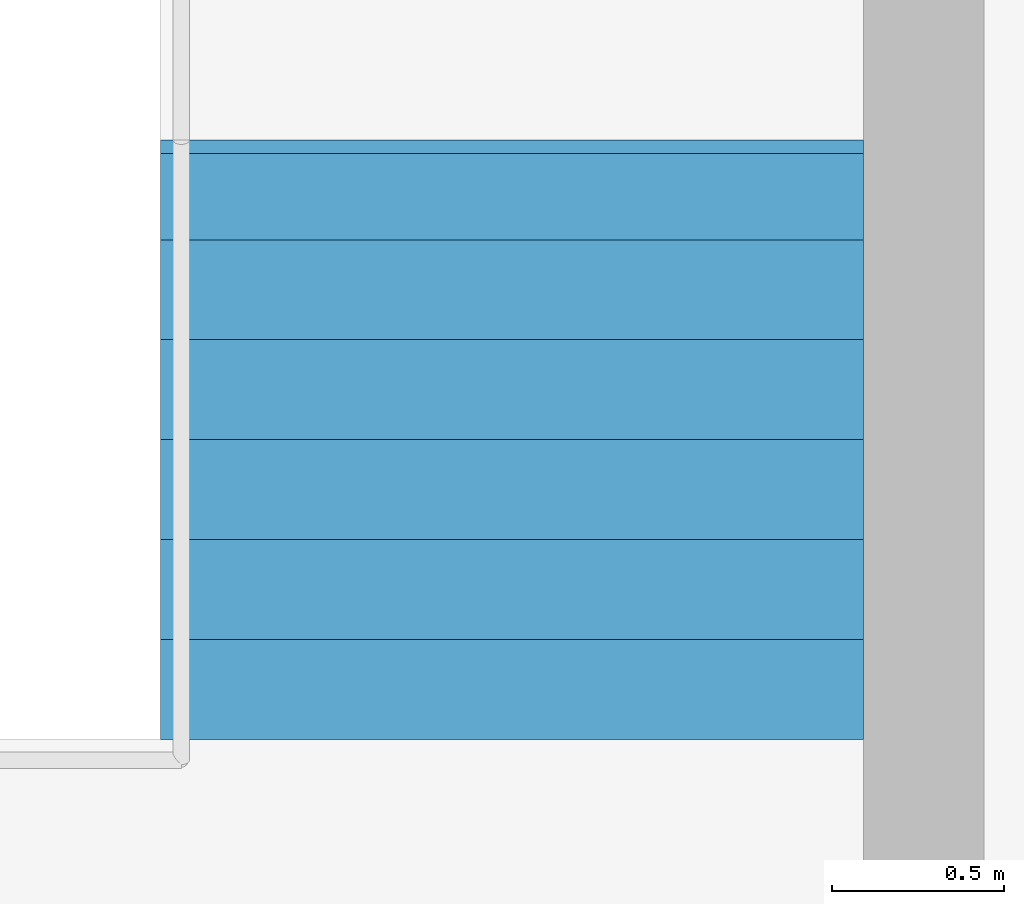
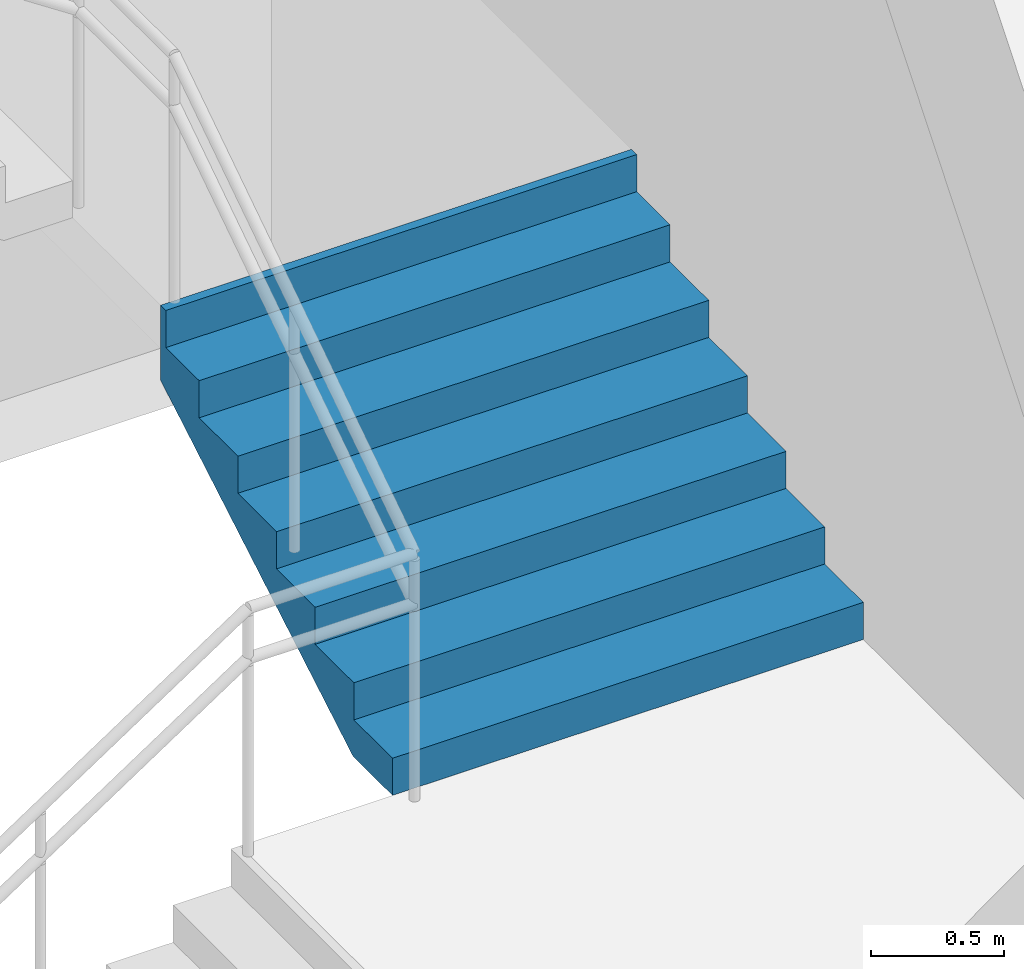
# One storey, part 53 of 58: 1 stair flight, 1 element without a shape of its own.
"""IFC4 building model written with IfcOpenShell, lengths in metres."""

from ifc_helpers import new_model, si_unit, direction, frame, origin, place, context, subcontext, project, spatial, triangles, material, type_object, element, aggregate, save


model = new_model("IFC4")

# Units and contexts
model_context = context("Model", 3, precision=1e-05, world=origin(), true_north=direction((0.0, 1.0)))
body_context = subcontext(model_context, "Body", "Model", "MODEL_VIEW")
ifc_project = project(units=[si_unit("LENGTHUNIT", "METRE"), si_unit("AREAUNIT", "SQUARE_METRE"), si_unit("VOLUMEUNIT", "CUBIC_METRE"), si_unit("PLANEANGLEUNIT", "RADIAN"), si_unit("MASSUNIT", "GRAM", prefix="KILO")], contexts=[model_context])

# Site, building, storey
site_placement = place(None, origin())
site = spatial("IfcSite", under=ifc_project, at=site_placement, CompositionType="ELEMENT")
building_placement = place(site_placement, origin())
building = spatial("IfcBuilding", under=site, at=building_placement, Name="Sillaruma Civic Art Gallery", CompositionType="ELEMENT")
storey_placement = place(building_placement, frame((0.0, 0.0, 28.56005859375)))
storey = spatial("IfcBuildingStorey", under=building, at=storey_placement, Name="L05", CompositionType="ELEMENT", Elevation=28.56005859375)

# Stair, stair flight
ifc_material = material(Name="Concrete H35 (35 MPa)", Category="concrete")
stair_type = type_object("IfcStairType", Name="STR-4F-27", PredefinedType="USERDEFINED", material=ifc_material)
stair_placement = place(storey_placement, origin())
stair = element("IfcStair", 1, at=stair_placement, inside=storey, type_object=stair_type, Name="Protected Exit Stair ST-02 (West Bar North) (L05)", ObjectType="THREE_RETURN_STAIR", PredefinedType="USERDEFINED")
stair_flight_type = type_object("IfcStairFlightType", Name="SFL-STR-7", PredefinedType="STRAIGHT", material=ifc_material)
stair_flight_placement = place(storey_placement, frame((68.219970703125, 82.949951171875, 1.18994140625), z_axis=(0.0, 0.0, 1.0), x_axis=(0.0, 1.0, 0.0)))
stair_flight = element("IfcStairFlight", 2, at=stair_flight_placement, type_object=stair_flight_type, Name="ST-02 flight 2", NumberOfRisers=7, NumberOfTreads=6, PredefinedType="STRAIGHT", RiserHeight=0.17, TreadLength=0.29, context=body_context, shape_type="Tessellation", body=[
    triangles([(0.0, -1.02001953125, 0.0), (0.29, -1.02001953125, 0.0), (0.296404, -1.02001953125, 0.0), (0.58, -1.02001953125, 0.166246), (0.87, -1.02001953125, 0.336246), (1.16, -1.02001953125, 0.506246), (1.45, -1.02001953125, 0.676246), (1.69999, -1.02001953125, 0.822792), (1.73999, -1.02001953125, 0.84624), (1.73999, -1.02001953125, 1.19), (1.69999, -1.02001953125, 1.19), (1.69999, -1.02001953125, 1.02), (1.45, -1.02001953125, 1.02), (1.45, -1.02001953125, 0.85), (1.16, -1.02001953125, 0.85), (1.16, -1.02001953125, 0.68), (0.87, -1.02001953125, 0.68), (0.87, -1.02001953125, 0.51), (0.58, -1.02001953125, 0.51), (0.58, -1.02001953125, 0.34), (0.296404, -1.02001953125, 0.34), (0.29, -1.02001953125, 0.34), (0.29, -1.02001953125, 0.17), (0.0, -1.02001953125, 0.17), (0.0, -0.05, 0.0), (0.29, -0.05, 0.0), (0.296404, -0.05, 0.0), (0.58, -0.05, 0.166246), (0.87, -0.05, 0.336246), (1.16, -0.05, 0.506246), (1.45, -0.05, 0.676246), (1.69999, -0.05, 0.822792), (1.73999, -0.05, 0.84624), (1.73999, -0.05, 1.19), (1.69999, -0.05, 1.19), (1.69999, -0.05, 1.02), (1.45, -0.05, 1.02), (1.45, -0.05, 0.85), (1.16, -0.05, 0.85), (1.16, -0.05, 0.68), (0.87, -0.05, 0.68), (0.87, -0.05, 0.51), (0.58, -0.05, 0.51), (0.58, -0.05, 0.34), (0.296404, -0.05, 0.34), (0.29, -0.05, 0.34), (0.29, -0.05, 0.17), (0.0, -0.05, 0.17), (0.0, -0.0375, 0.0), (0.29, -0.0375, 0.0), (0.296404, -0.0375, 0.0), (0.58, -0.0375, 0.166246), (0.87, -0.0375, 0.336246), (1.16, -0.0375, 0.506246), (1.45, -0.0375, 0.676246), (1.69999, -0.0375, 0.822792), (1.73999, -0.0375, 0.84624), (1.73999, -0.0375, 1.19), (1.69999, -0.0375, 1.19), (1.69999, -0.0375, 1.02), (1.45, -0.0375, 1.02), (1.45, -0.0375, 0.85), (1.16, -0.0375, 0.85), (1.16, -0.0375, 0.68), (0.87, -0.0375, 0.68), (0.87, -0.0375, 0.51), (0.58, -0.0375, 0.51), (0.58, -0.0375, 0.34), (0.296404, -0.0375, 0.34), (0.29, -0.0375, 0.34), (0.29, -0.0375, 0.17), (0.0, -0.0375, 0.17), (0.0, -0.025, 0.0), (0.29, -0.025, 0.0), (0.296404, -0.025, 0.0), (0.58, -0.025, 0.166246), (0.87, -0.025, 0.336246), (1.16, -0.025, 0.506246), (1.45, -0.025, 0.676246), (1.69999, -0.025, 0.822792), (1.73999, -0.025, 0.84624), (1.73999, -0.025, 1.19), (1.69999, -0.025, 1.19), (1.69999, -0.025, 1.02), (1.45, -0.025, 1.02), (1.45, -0.025, 0.85), (1.16, -0.025, 0.85), (1.16, -0.025, 0.68), (0.87, -0.025, 0.68), (0.87, -0.025, 0.51), (0.58, -0.025, 0.51), (0.58, -0.025, 0.34), (0.296404, -0.025, 0.34), (0.29, -0.025, 0.34), (0.29, -0.025, 0.17), (0.0, -0.025, 0.17), (0.0, -0.0125, 0.0), (0.29, -0.0125, 0.0), (0.296404, -0.0125, 0.0), (0.58, -0.0125, 0.166246), (0.87, -0.0125, 0.336246), (1.16, -0.0125, 0.506246), (1.45, -0.0125, 0.676246), (1.69999, -0.0125, 0.822792), (1.73999, -0.0125, 0.84624), (1.73999, -0.0125, 1.19), (1.69999, -0.0125, 1.19), (1.69999, -0.0125, 1.02), (1.45, -0.0125, 1.02), (1.45, -0.0125, 0.85), (1.16, -0.0125, 0.85), (1.16, -0.0125, 0.68), (0.87, -0.0125, 0.68), (0.87, -0.0125, 0.51), (0.58, -0.0125, 0.51), (0.58, -0.0125, 0.34), (0.296404, -0.0125, 0.34), (0.29, -0.0125, 0.34), (0.29, -0.0125, 0.17), (0.0, -0.0125, 0.17), (0.0, 0.0, 0.0), (0.29, 0.0, 0.0), (0.296404, 0.0, 0.0), (0.58, 0.0, 0.166246), (0.87, 0.0, 0.336246), (1.16, 0.0, 0.506246), (1.45, 0.0, 0.676246), (1.69999, 0.0, 0.822792), (1.73999, 0.0, 0.84624), (1.73999, 0.0, 1.19), (1.69999, 0.0, 1.19), (1.69999, 0.0, 1.02), (1.45, 0.0, 1.02), (1.45, 0.0, 0.85), (1.16, 0.0, 0.85), (1.16, 0.0, 0.68), (0.87, 0.0, 0.68), (0.87, 0.0, 0.51), (0.58, 0.0, 0.51), (0.58, 0.0, 0.34), (0.296404, 0.0, 0.34), (0.29, 0.0, 0.34), (0.29, 0.0, 0.17), (0.0, 0.0, 0.17), (0.0, 0.0125, 0.0), (0.29, 0.0125, 0.0), (0.296404, 0.0125, 0.0), (0.58, 0.0125, 0.166246), (0.87, 0.0125, 0.336246), (1.16, 0.0125, 0.506246), (1.45, 0.0125, 0.676246), (1.69999, 0.0125, 0.822792), (1.73999, 0.0125, 0.84624), (1.73999, 0.0125, 1.19), (1.69999, 0.0125, 1.19), (1.69999, 0.0125, 1.02), (1.45, 0.0125, 1.02), (1.45, 0.0125, 0.85), (1.16, 0.0125, 0.85), (1.16, 0.0125, 0.68), (0.87, 0.0125, 0.68), (0.87, 0.0125, 0.51), (0.58, 0.0125, 0.51), (0.58, 0.0125, 0.34), (0.296404, 0.0125, 0.34), (0.29, 0.0125, 0.34), (0.29, 0.0125, 0.17), (0.0, 0.0125, 0.17), (0.0, 0.025, 0.0), (0.29, 0.025, 0.0), (0.296404, 0.025, 0.0), (0.58, 0.025, 0.166246), (0.87, 0.025, 0.336246), (1.16, 0.025, 0.506246), (1.45, 0.025, 0.676246), (1.69999, 0.025, 0.822792), (1.73999, 0.025, 0.84624), (1.73999, 0.025, 1.19), (1.69999, 0.025, 1.19), (1.69999, 0.025, 1.02), (1.45, 0.025, 1.02), (1.45, 0.025, 0.85), (1.16, 0.025, 0.85), (1.16, 0.025, 0.68), (0.87, 0.025, 0.68), (0.87, 0.025, 0.51), (0.58, 0.025, 0.51), (0.58, 0.025, 0.34), (0.296404, 0.025, 0.34), (0.29, 0.025, 0.34), (0.29, 0.025, 0.17), (0.0, 0.025, 0.17), (0.0, 0.0375, 0.0), (0.29, 0.0375, 0.0), (0.296404, 0.0375, 0.0), (0.58, 0.0375, 0.166246), (0.87, 0.0375, 0.336246), (1.16, 0.0375, 0.506246), (1.45, 0.0375, 0.676246), (1.69999, 0.0375, 0.822792), (1.73999, 0.0375, 0.84624), (1.73999, 0.0375, 1.19), (1.69999, 0.0375, 1.19), (1.69999, 0.0375, 1.02), (1.45, 0.0375, 1.02), (1.45, 0.0375, 0.85), (1.16, 0.0375, 0.85), (1.16, 0.0375, 0.68), (0.87, 0.0375, 0.68), (0.87, 0.0375, 0.51), (0.58, 0.0375, 0.51), (0.58, 0.0375, 0.34), (0.296404, 0.0375, 0.34), (0.29, 0.0375, 0.34), (0.29, 0.0375, 0.17), (0.0, 0.0375, 0.17), (0.0, 0.05, 0.0), (0.29, 0.05, 0.0), (0.296404, 0.05, 0.0), (0.58, 0.05, 0.166246), (0.87, 0.05, 0.336246), (1.16, 0.05, 0.506246), (1.45, 0.05, 0.676246), (1.69999, 0.05, 0.822792), (1.73999, 0.05, 0.84624), (1.73999, 0.05, 1.19), (1.69999, 0.05, 1.19), (1.69999, 0.05, 1.02), (1.45, 0.05, 1.02), (1.45, 0.05, 0.85), (1.16, 0.05, 0.85), (1.16, 0.05, 0.68), (0.87, 0.05, 0.68), (0.87, 0.05, 0.51), (0.58, 0.05, 0.51), (0.58, 0.05, 0.34), (0.296404, 0.05, 0.34), (0.29, 0.05, 0.34), (0.29, 0.05, 0.17), (0.0, 0.05, 0.17), (0.0, 1.02001953125, 0.0), (0.29, 1.02001953125, 0.0), (0.296404, 1.02001953125, 0.0), (0.58, 1.02001953125, 0.166246), (0.87, 1.02001953125, 0.336246), (1.16, 1.02001953125, 0.506246), (1.45, 1.02001953125, 0.676246), (1.69999, 1.02001953125, 0.822792), (1.73999, 1.02001953125, 0.84624), (1.73999, 1.02001953125, 1.19), (1.69999, 1.02001953125, 1.19), (1.69999, 1.02001953125, 1.02), (1.45, 1.02001953125, 1.02), (1.45, 1.02001953125, 0.85), (1.16, 1.02001953125, 0.85), (1.16, 1.02001953125, 0.68), (0.87, 1.02001953125, 0.68), (0.87, 1.02001953125, 0.51), (0.58, 1.02001953125, 0.51), (0.58, 1.02001953125, 0.34), (0.296404, 1.02001953125, 0.34), (0.29, 1.02001953125, 0.34), (0.29, 1.02001953125, 0.17), (0.0, 1.02001953125, 0.17)], [[1, 2, 23], [1, 23, 24], [2, 3, 21], [2, 21, 23], [23, 21, 22], [3, 4, 20], [3, 20, 21], [4, 5, 18], [4, 18, 20], [20, 18, 19], [5, 6, 16], [5, 16, 18], [18, 16, 17], [6, 7, 14], [6, 14, 16], [16, 14, 15], [7, 8, 12], [7, 12, 14], [14, 12, 13], [8, 9, 10], [8, 10, 12], [12, 10, 11], [263, 242, 241], [264, 263, 241], [261, 243, 242], [263, 261, 242], [262, 261, 263], [260, 244, 243], [261, 260, 243], [258, 245, 244], [260, 258, 244], [259, 258, 260], [256, 246, 245], [258, 256, 245], [257, 256, 258], [254, 247, 246], [256, 254, 246], [255, 254, 256], [252, 248, 247], [254, 252, 247], [253, 252, 254], [250, 249, 248], [252, 250, 248], [251, 250, 252], [2, 1, 25], [2, 25, 26], [3, 2, 26], [3, 26, 27], [4, 3, 27], [4, 27, 28], [5, 4, 28], [5, 28, 29], [6, 5, 29], [6, 29, 30], [7, 6, 30], [7, 30, 31], [8, 7, 31], [8, 31, 32], [9, 8, 32], [9, 32, 33], [10, 9, 33], [10, 33, 34], [11, 10, 34], [11, 34, 35], [12, 11, 35], [12, 35, 36], [13, 12, 36], [13, 36, 37], [14, 13, 37], [14, 37, 38], [15, 14, 38], [15, 38, 39], [16, 15, 39], [16, 39, 40], [17, 16, 40], [17, 40, 41], [18, 17, 41], [18, 41, 42], [19, 18, 42], [19, 42, 43], [20, 19, 43], [20, 43, 44], [21, 20, 44], [21, 44, 45], [22, 21, 45], [22, 45, 46], [23, 22, 46], [23, 46, 47], [24, 23, 47], [24, 47, 48], [1, 24, 48], [1, 48, 25], [26, 25, 49], [26, 49, 50], [27, 26, 50], [27, 50, 51], [28, 27, 51], [28, 51, 52], [29, 28, 52], [29, 52, 53], [30, 29, 53], [30, 53, 54], [31, 30, 54], [31, 54, 55], [32, 31, 55], [32, 55, 56], [33, 32, 56], [33, 56, 57], [34, 33, 57], [34, 57, 58], [35, 34, 58], [35, 58, 59], [36, 35, 59], [36, 59, 60], [37, 36, 60], [37, 60, 61], [38, 37, 61], [38, 61, 62], [39, 38, 62], [39, 62, 63], [40, 39, 63], [40, 63, 64], [41, 40, 64], [41, 64, 65], [42, 41, 65], [42, 65, 66], [43, 42, 66], [43, 66, 67], [44, 43, 67], [44, 67, 68], [45, 44, 68], [45, 68, 69], [46, 45, 69], [46, 69, 70], [47, 46, 70], [47, 70, 71], [48, 47, 71], [48, 71, 72], [25, 48, 72], [25, 72, 49], [50, 49, 73], [50, 73, 74], [51, 50, 74], [51, 74, 75], [52, 51, 75], [52, 75, 76], [53, 52, 76], [53, 76, 77], [54, 53, 77], [54, 77, 78], [55, 54, 78], [55, 78, 79], [56, 55, 79], [56, 79, 80], [57, 56, 80], [57, 80, 81], [58, 57, 81], [58, 81, 82], [59, 58, 82], [59, 82, 83], [60, 59, 83], [60, 83, 84], [61, 60, 84], [61, 84, 85], [62, 61, 85], [62, 85, 86], [63, 62, 86], [63, 86, 87], [64, 63, 87], [64, 87, 88], [65, 64, 88], [65, 88, 89], [66, 65, 89], [66, 89, 90], [67, 66, 90], [67, 90, 91], [68, 67, 91], [68, 91, 92], [69, 68, 92], [69, 92, 93], [70, 69, 93], [70, 93, 94], [71, 70, 94], [71, 94, 95], [72, 71, 95], [72, 95, 96], [49, 72, 96], [49, 96, 73], [74, 73, 97], [74, 97, 98], [75, 74, 98], [75, 98, 99], [76, 75, 99], [76, 99, 100], [77, 76, 100], [77, 100, 101], [78, 77, 101], [78, 101, 102], [79, 78, 102], [79, 102, 103], [80, 79, 103], [80, 103, 104], [81, 80, 104], [81, 104, 105], [82, 81, 105], [82, 105, 106], [83, 82, 106], [83, 106, 107], [84, 83, 107], [84, 107, 108], [85, 84, 108], [85, 108, 109], [86, 85, 109], [86, 109, 110], [87, 86, 110], [87, 110, 111], [88, 87, 111], [88, 111, 112], [89, 88, 112], [89, 112, 113], [90, 89, 113], [90, 113, 114], [91, 90, 114], [91, 114, 115], [92, 91, 115], [92, 115, 116], [93, 92, 116], [93, 116, 117], [94, 93, 117], [94, 117, 118], [95, 94, 118], [95, 118, 119], [96, 95, 119], [96, 119, 120], [73, 96, 120], [73, 120, 97], [98, 97, 121], [98, 121, 122], [99, 98, 122], [99, 122, 123], [100, 99, 123], [100, 123, 124], [101, 100, 124], [101, 124, 125], [102, 101, 125], [102, 125, 126], [103, 102, 126], [103, 126, 127], [104, 103, 127], [104, 127, 128], [105, 104, 128], [105, 128, 129], [106, 105, 129], [106, 129, 130], [107, 106, 130], [107, 130, 131], [108, 107, 131], [108, 131, 132], [109, 108, 132], [109, 132, 133], [110, 109, 133], [110, 133, 134], [111, 110, 134], [111, 134, 135], [112, 111, 135], [112, 135, 136], [113, 112, 136], [113, 136, 137], [114, 113, 137], [114, 137, 138], [115, 114, 138], [115, 138, 139], [116, 115, 139], [116, 139, 140], [117, 116, 140], [117, 140, 141], [118, 117, 141], [118, 141, 142], [119, 118, 142], [119, 142, 143], [120, 119, 143], [120, 143, 144], [97, 120, 144], [97, 144, 121], [122, 121, 145], [122, 145, 146], [123, 122, 146], [123, 146, 147], [124, 123, 147], [124, 147, 148], [125, 124, 148], [125, 148, 149], [126, 125, 149], [126, 149, 150], [127, 126, 150], [127, 150, 151], [128, 127, 151], [128, 151, 152], [129, 128, 152], [129, 152, 153], [130, 129, 153], [130, 153, 154], [131, 130, 154], [131, 154, 155], [132, 131, 155], [132, 155, 156], [133, 132, 156], [133, 156, 157], [134, 133, 157], [134, 157, 158], [135, 134, 158], [135, 158, 159], [136, 135, 159], [136, 159, 160], [137, 136, 160], [137, 160, 161], [138, 137, 161], [138, 161, 162], [139, 138, 162], [139, 162, 163], [140, 139, 163], [140, 163, 164], [141, 140, 164], [141, 164, 165], [142, 141, 165], [142, 165, 166], [143, 142, 166], [143, 166, 167], [144, 143, 167], [144, 167, 168], [121, 144, 168], [121, 168, 145], [146, 145, 169], [146, 169, 170], [147, 146, 170], [147, 170, 171], [148, 147, 171], [148, 171, 172], [149, 148, 172], [149, 172, 173], [150, 149, 173], [150, 173, 174], [151, 150, 174], [151, 174, 175], [152, 151, 175], [152, 175, 176], [153, 152, 176], [153, 176, 177], [154, 153, 177], [154, 177, 178], [155, 154, 178], [155, 178, 179], [156, 155, 179], [156, 179, 180], [157, 156, 180], [157, 180, 181], [158, 157, 181], [158, 181, 182], [159, 158, 182], [159, 182, 183], [160, 159, 183], [160, 183, 184], [161, 160, 184], [161, 184, 185], [162, 161, 185], [162, 185, 186], [163, 162, 186], [163, 186, 187], [164, 163, 187], [164, 187, 188], [165, 164, 188], [165, 188, 189], [166, 165, 189], [166, 189, 190], [167, 166, 190], [167, 190, 191], [168, 167, 191], [168, 191, 192], [145, 168, 192], [145, 192, 169], [170, 169, 193], [170, 193, 194], [171, 170, 194], [171, 194, 195], [172, 171, 195], [172, 195, 196], [173, 172, 196], [173, 196, 197], [174, 173, 197], [174, 197, 198], [175, 174, 198], [175, 198, 199], [176, 175, 199], [176, 199, 200], [177, 176, 200], [177, 200, 201], [178, 177, 201], [178, 201, 202], [179, 178, 202], [179, 202, 203], [180, 179, 203], [180, 203, 204], [181, 180, 204], [181, 204, 205], [182, 181, 205], [182, 205, 206], [183, 182, 206], [183, 206, 207], [184, 183, 207], [184, 207, 208], [185, 184, 208], [185, 208, 209], [186, 185, 209], [186, 209, 210], [187, 186, 210], [187, 210, 211], [188, 187, 211], [188, 211, 212], [189, 188, 212], [189, 212, 213], [190, 189, 213], [190, 213, 214], [191, 190, 214], [191, 214, 215], [192, 191, 215], [192, 215, 216], [169, 192, 216], [169, 216, 193], [194, 193, 217], [194, 217, 218], [195, 194, 218], [195, 218, 219], [196, 195, 219], [196, 219, 220], [197, 196, 220], [197, 220, 221], [198, 197, 221], [198, 221, 222], [199, 198, 222], [199, 222, 223], [200, 199, 223], [200, 223, 224], [201, 200, 224], [201, 224, 225], [202, 201, 225], [202, 225, 226], [203, 202, 226], [203, 226, 227], [204, 203, 227], [204, 227, 228], [205, 204, 228], [205, 228, 229], [206, 205, 229], [206, 229, 230], [207, 206, 230], [207, 230, 231], [208, 207, 231], [208, 231, 232], [209, 208, 232], [209, 232, 233], [210, 209, 233], [210, 233, 234], [211, 210, 234], [211, 234, 235], [212, 211, 235], [212, 235, 236], [213, 212, 236], [213, 236, 237], [214, 213, 237], [214, 237, 238], [215, 214, 238], [215, 238, 239], [216, 215, 239], [216, 239, 240], [193, 216, 240], [193, 240, 217], [218, 217, 241], [218, 241, 242], [219, 218, 242], [219, 242, 243], [220, 219, 243], [220, 243, 244], [221, 220, 244], [221, 244, 245], [222, 221, 245], [222, 245, 246], [223, 222, 246], [223, 246, 247], [224, 223, 247], [224, 247, 248], [225, 224, 248], [225, 248, 249], [226, 225, 249], [226, 249, 250], [227, 226, 250], [227, 250, 251], [228, 227, 251], [228, 251, 252], [229, 228, 252], [229, 252, 253], [230, 229, 253], [230, 253, 254], [231, 230, 254], [231, 254, 255], [232, 231, 255], [232, 255, 256], [233, 232, 256], [233, 256, 257], [234, 233, 257], [234, 257, 258], [235, 234, 258], [235, 258, 259], [236, 235, 259], [236, 259, 260], [237, 236, 260], [237, 260, 261], [238, 237, 261], [238, 261, 262], [239, 238, 262], [239, 262, 263], [240, 239, 263], [240, 263, 264], [217, 240, 264], [217, 264, 241]], closed=True),
])
aggregate(stair, [stair_flight])

save(model, "model.ifc")
